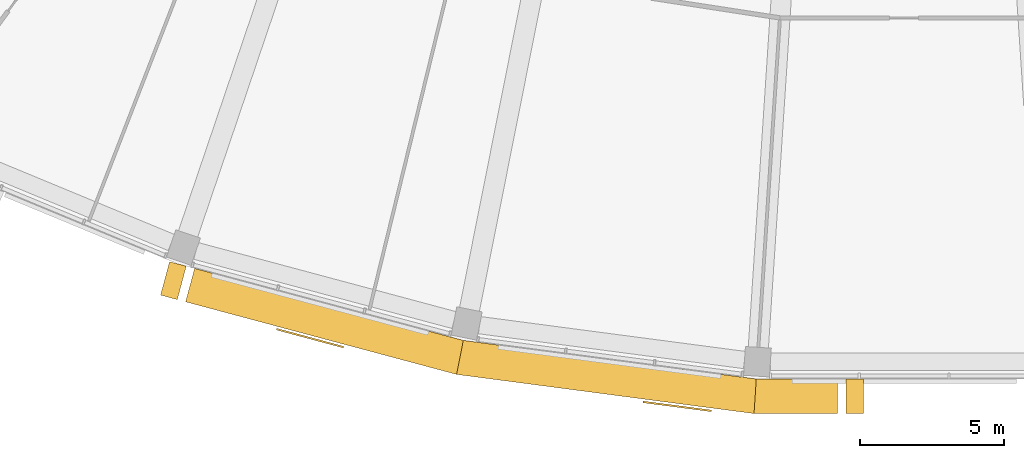
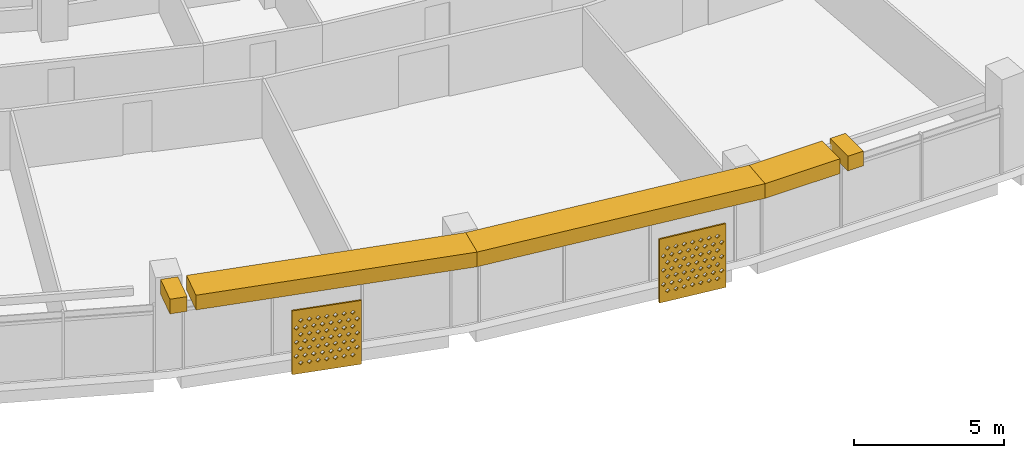
# One storey, part 25 of 28: 7 shading devices.
"""IFC4 building model written with IfcOpenShell, lengths in metres."""

from ifc_helpers import new_model, si_unit, direction, frame, origin, place, context, subcontext, project, spatial, polyline, outline, extrude, material, material_profile, profile_set, type_object, element, save


model = new_model("IFC4")

# Units and contexts
model_context = context("Model", 3, precision=1e-05, world=origin(), true_north=direction((0.0, 1.0)))
body_context = subcontext(model_context, "Body", "Model", "MODEL_VIEW")
ifc_project = project(units=[si_unit("LENGTHUNIT", "METRE"), si_unit("AREAUNIT", "SQUARE_METRE"), si_unit("VOLUMEUNIT", "CUBIC_METRE"), si_unit("PLANEANGLEUNIT", "RADIAN"), si_unit("MASSUNIT", "GRAM", prefix="KILO")], contexts=[model_context])

# Site, building, storey
site_placement = place(None, origin())
site = spatial("IfcSite", under=ifc_project, at=site_placement, CompositionType="ELEMENT")
building_placement = place(site_placement, origin())
building = spatial("IfcBuilding", under=site, at=building_placement, Name="Qamariyya Broadcast Tower", CompositionType="ELEMENT")
storey_placement = place(building_placement, frame((0.0, 0.0, 269.5)))
storey = spatial("IfcBuildingStorey", under=building, at=storey_placement, Name="L65", CompositionType="ELEMENT", Elevation=269.5)

# Shading devices
ifc_material_1 = material(Name="Steel S355 powder coated deep red", Category="steel")
shading_device_type_1 = type_object("IfcShadingDeviceType", Name="Deep red frame, powder coated steel box section", PredefinedType="USERDEFINED", material=ifc_material_1)
shading_device_1_placement = place(storey_placement, frame((0.0, 0.0, 3.199951171875)))
element("IfcShadingDevice", 1, at=shading_device_1_placement, inside=storey, type_object=shading_device_type_1, Name="e-frm-B5-F3-posta-L65", ObjectType="FRAME", PredefinedType="USERDEFINED", context=body_context, shape_type="SweptSolid", body=[
    extrude(outline(polyline([(-25.474609375, -74.1142578125), (-25.78515625, -75.2734375), (-25.20556640625, -75.4287109375), (-24.89501953125, -74.26953125), (-25.474609375, -74.1142578125)])), origin(), (0.0, 0.0, 1.0), 0.60009765625),
])
shading_device_2_placement = place(storey_placement, frame((0.0, 0.0, 3.199951171875)))
element("IfcShadingDevice", 2, at=shading_device_2_placement, inside=storey, type_object=shading_device_type_1, Name="e-frm-B5-F3-postb-L65", ObjectType="FRAME", PredefinedType="USERDEFINED", context=body_context, shape_type="SweptSolid", body=[
    extrude(outline(polyline([(-2.008056640625, -78.18212890625), (-2.008056640625, -79.38232421875), (-1.408203125, -79.38232421875), (-1.408203125, -78.18212890625), (-2.008056640625, -78.18212890625)])), origin(), (0.0, 0.0, 1.0), 0.60009765625),
])
shading_device_3_placement = place(storey_placement, frame((0.0, 0.0, 3.199951171875)))
element("IfcShadingDevice", 3, at=shading_device_3_placement, inside=storey, type_object=shading_device_type_1, Name="e-frm-B5-F3-bot0", ObjectType="FRAME", PredefinedType="USERDEFINED", context=body_context, shape_type="SweptSolid", body=[
    extrude(outline(polyline([(-24.605224609375, -74.34716796875), (-24.915771484375, -75.50634765625), (-15.52001953125, -78.02392578125), (-15.285400390625, -76.844482421875), (-24.605224609375, -74.34716796875)])), origin(), (0.0, 0.0, 1.0), 0.60009765625),
])
shading_device_4_placement = place(storey_placement, frame((0.0, 0.0, 3.199951171875)))
element("IfcShadingDevice", 4, at=shading_device_4_placement, inside=storey, type_object=shading_device_type_1, Name="e-frm-B5-F3-bot1", ObjectType="FRAME", PredefinedType="USERDEFINED", context=body_context, shape_type="SweptSolid", body=[
    extrude(outline(polyline([(-15.285400390625, -76.844482421875), (-15.52001953125, -78.02392578125), (-5.202880859375, -79.38232421875), (-5.124267578125, -78.18212890625), (-15.285400390625, -76.844482421875)])), origin(), (0.0, 0.0, 1.0), 0.60009765625),
])
shading_device_5_placement = place(storey_placement, frame((0.0, 0.0, 3.199951171875)))
element("IfcShadingDevice", 5, at=shading_device_5_placement, inside=storey, type_object=shading_device_type_1, Name="e-frm-B5-F3-bot2", ObjectType="FRAME", PredefinedType="USERDEFINED", context=body_context, shape_type="SweptSolid", body=[
    extrude(outline(polyline([(-5.124267578125, -78.18212890625), (-5.202880859375, -79.38232421875), (-2.30810546875, -79.38232421875), (-2.30810546875, -78.18212890625), (-5.124267578125, -78.18212890625)])), origin(), (0.0, 0.0, 1.0), 0.60009765625),
])
ifc_material_2 = material(Name="Perforated glazed terracotta", Category="masonry")
ifc_material_profile = material_profile(ifc_material_2, outline(polyline([(-1.199951171875, -1.300048828125), (1.199951171875, -1.300048828125), (1.199951171875, 1.300048828125), (-1.199951171875, 1.300048828125), (-1.199951171875, -1.300048828125)]), holes=[polyline([(-0.81494140625, -0.86669921875), (-0.89990234375, -0.78173828125), (-0.985107421875, -0.86669921875), (-0.89990234375, -0.95166015625), (-0.81494140625, -0.86669921875)]), polyline([(-0.514892578125, -0.86669921875), (-0.60009765625, -0.78173828125), (-0.68505859375, -0.86669921875), (-0.60009765625, -0.95166015625), (-0.514892578125, -0.86669921875)]), polyline([(-0.215087890625, -0.86669921875), (-0.300048828125, -0.78173828125), (-0.385009765625, -0.86669921875), (-0.300048828125, -0.95166015625), (-0.215087890625, -0.86669921875)]), polyline([(0.0849609375, -0.86669921875), (0.0, -0.78173828125), (-0.0849609375, -0.86669921875), (0.0, -0.95166015625), (0.0849609375, -0.86669921875)]), polyline([(0.385009765625, -0.86669921875), (0.300048828125, -0.78173828125), (0.215087890625, -0.86669921875), (0.300048828125, -0.95166015625), (0.385009765625, -0.86669921875)]), polyline([(0.68505859375, -0.86669921875), (0.60009765625, -0.78173828125), (0.514892578125, -0.86669921875), (0.60009765625, -0.95166015625), (0.68505859375, -0.86669921875)]), polyline([(0.985107421875, -0.86669921875), (0.89990234375, -0.78173828125), (0.81494140625, -0.86669921875), (0.89990234375, -0.95166015625), (0.985107421875, -0.86669921875)]), polyline([(-0.965087890625, -0.577880859375), (-1.050048828125, -0.49267578125), (-1.135009765625, -0.577880859375), (-1.050048828125, -0.662841796875), (-0.965087890625, -0.577880859375)]), polyline([(-0.6650390625, -0.577880859375), (-0.75, -0.49267578125), (-0.8349609375, -0.577880859375), (-0.75, -0.662841796875), (-0.6650390625, -0.577880859375)]), polyline([(-0.364990234375, -0.577880859375), (-0.449951171875, -0.49267578125), (-0.534912109375, -0.577880859375), (-0.449951171875, -0.662841796875), (-0.364990234375, -0.577880859375)]), polyline([(-0.06494140625, -0.577880859375), (-0.14990234375, -0.49267578125), (-0.235107421875, -0.577880859375), (-0.14990234375, -0.662841796875), (-0.06494140625, -0.577880859375)]), polyline([(0.235107421875, -0.577880859375), (0.14990234375, -0.49267578125), (0.06494140625, -0.577880859375), (0.14990234375, -0.662841796875), (0.235107421875, -0.577880859375)]), polyline([(0.534912109375, -0.577880859375), (0.449951171875, -0.49267578125), (0.364990234375, -0.577880859375), (0.449951171875, -0.662841796875), (0.534912109375, -0.577880859375)]), polyline([(0.8349609375, -0.577880859375), (0.75, -0.49267578125), (0.6650390625, -0.577880859375), (0.75, -0.662841796875), (0.8349609375, -0.577880859375)]), polyline([(1.135009765625, -0.577880859375), (1.050048828125, -0.49267578125), (0.965087890625, -0.577880859375), (1.050048828125, -0.662841796875), (1.135009765625, -0.577880859375)]), polyline([(-0.81494140625, -0.288818359375), (-0.89990234375, -0.203857421875), (-0.985107421875, -0.288818359375), (-0.89990234375, -0.373779296875), (-0.81494140625, -0.288818359375)]), polyline([(-0.514892578125, -0.288818359375), (-0.60009765625, -0.203857421875), (-0.68505859375, -0.288818359375), (-0.60009765625, -0.373779296875), (-0.514892578125, -0.288818359375)]), polyline([(-0.215087890625, -0.288818359375), (-0.300048828125, -0.203857421875), (-0.385009765625, -0.288818359375), (-0.300048828125, -0.373779296875), (-0.215087890625, -0.288818359375)]), polyline([(0.0849609375, -0.288818359375), (0.0, -0.203857421875), (-0.0849609375, -0.288818359375), (0.0, -0.373779296875), (0.0849609375, -0.288818359375)]), polyline([(0.385009765625, -0.288818359375), (0.300048828125, -0.203857421875), (0.215087890625, -0.288818359375), (0.300048828125, -0.373779296875), (0.385009765625, -0.288818359375)]), polyline([(0.68505859375, -0.288818359375), (0.60009765625, -0.203857421875), (0.514892578125, -0.288818359375), (0.60009765625, -0.373779296875), (0.68505859375, -0.288818359375)]), polyline([(0.985107421875, -0.288818359375), (0.89990234375, -0.203857421875), (0.81494140625, -0.288818359375), (0.89990234375, -0.373779296875), (0.985107421875, -0.288818359375)]), polyline([(-0.965087890625, 0.0), (-1.050048828125, 0.0849609375), (-1.135009765625, 0.0), (-1.050048828125, -0.0849609375), (-0.965087890625, 0.0)]), polyline([(-0.6650390625, 0.0), (-0.75, 0.0849609375), (-0.8349609375, 0.0), (-0.75, -0.0849609375), (-0.6650390625, 0.0)]), polyline([(-0.364990234375, 0.0), (-0.449951171875, 0.0849609375), (-0.534912109375, 0.0), (-0.449951171875, -0.0849609375), (-0.364990234375, 0.0)]), polyline([(-0.06494140625, 0.0), (-0.14990234375, 0.0849609375), (-0.235107421875, 0.0), (-0.14990234375, -0.0849609375), (-0.06494140625, 0.0)]), polyline([(0.235107421875, 0.0), (0.14990234375, 0.0849609375), (0.06494140625, 0.0), (0.14990234375, -0.0849609375), (0.235107421875, 0.0)]), polyline([(0.534912109375, 0.0), (0.449951171875, 0.0849609375), (0.364990234375, 0.0), (0.449951171875, -0.0849609375), (0.534912109375, 0.0)]), polyline([(0.8349609375, 0.0), (0.75, 0.0849609375), (0.6650390625, 0.0), (0.75, -0.0849609375), (0.8349609375, 0.0)]), polyline([(1.135009765625, 0.0), (1.050048828125, 0.0849609375), (0.965087890625, 0.0), (1.050048828125, -0.0849609375), (1.135009765625, 0.0)]), polyline([(-0.81494140625, 0.288818359375), (-0.89990234375, 0.373779296875), (-0.985107421875, 0.288818359375), (-0.89990234375, 0.203857421875), (-0.81494140625, 0.288818359375)]), polyline([(-0.514892578125, 0.288818359375), (-0.60009765625, 0.373779296875), (-0.68505859375, 0.288818359375), (-0.60009765625, 0.203857421875), (-0.514892578125, 0.288818359375)]), polyline([(-0.215087890625, 0.288818359375), (-0.300048828125, 0.373779296875), (-0.385009765625, 0.288818359375), (-0.300048828125, 0.203857421875), (-0.215087890625, 0.288818359375)]), polyline([(0.0849609375, 0.288818359375), (0.0, 0.373779296875), (-0.0849609375, 0.288818359375), (0.0, 0.203857421875), (0.0849609375, 0.288818359375)]), polyline([(0.385009765625, 0.288818359375), (0.300048828125, 0.373779296875), (0.215087890625, 0.288818359375), (0.300048828125, 0.203857421875), (0.385009765625, 0.288818359375)]), polyline([(0.68505859375, 0.288818359375), (0.60009765625, 0.373779296875), (0.514892578125, 0.288818359375), (0.60009765625, 0.203857421875), (0.68505859375, 0.288818359375)]), polyline([(0.985107421875, 0.288818359375), (0.89990234375, 0.373779296875), (0.81494140625, 0.288818359375), (0.89990234375, 0.203857421875), (0.985107421875, 0.288818359375)]), polyline([(-0.965087890625, 0.577880859375), (-1.050048828125, 0.662841796875), (-1.135009765625, 0.577880859375), (-1.050048828125, 0.49267578125), (-0.965087890625, 0.577880859375)]), polyline([(-0.6650390625, 0.577880859375), (-0.75, 0.662841796875), (-0.8349609375, 0.577880859375), (-0.75, 0.49267578125), (-0.6650390625, 0.577880859375)]), polyline([(-0.364990234375, 0.577880859375), (-0.449951171875, 0.662841796875), (-0.534912109375, 0.577880859375), (-0.449951171875, 0.49267578125), (-0.364990234375, 0.577880859375)]), polyline([(-0.06494140625, 0.577880859375), (-0.14990234375, 0.662841796875), (-0.235107421875, 0.577880859375), (-0.14990234375, 0.49267578125), (-0.06494140625, 0.577880859375)]), polyline([(0.235107421875, 0.577880859375), (0.14990234375, 0.662841796875), (0.06494140625, 0.577880859375), (0.14990234375, 0.49267578125), (0.235107421875, 0.577880859375)]), polyline([(0.534912109375, 0.577880859375), (0.449951171875, 0.662841796875), (0.364990234375, 0.577880859375), (0.449951171875, 0.49267578125), (0.534912109375, 0.577880859375)]), polyline([(0.8349609375, 0.577880859375), (0.75, 0.662841796875), (0.6650390625, 0.577880859375), (0.75, 0.49267578125), (0.8349609375, 0.577880859375)]), polyline([(1.135009765625, 0.577880859375), (1.050048828125, 0.662841796875), (0.965087890625, 0.577880859375), (1.050048828125, 0.49267578125), (1.135009765625, 0.577880859375)]), polyline([(-0.81494140625, 0.86669921875), (-0.89990234375, 0.95166015625), (-0.985107421875, 0.86669921875), (-0.89990234375, 0.78173828125), (-0.81494140625, 0.86669921875)]), polyline([(-0.514892578125, 0.86669921875), (-0.60009765625, 0.95166015625), (-0.68505859375, 0.86669921875), (-0.60009765625, 0.78173828125), (-0.514892578125, 0.86669921875)]), polyline([(-0.215087890625, 0.86669921875), (-0.300048828125, 0.95166015625), (-0.385009765625, 0.86669921875), (-0.300048828125, 0.78173828125), (-0.215087890625, 0.86669921875)]), polyline([(0.0849609375, 0.86669921875), (0.0, 0.95166015625), (-0.0849609375, 0.86669921875), (0.0, 0.78173828125), (0.0849609375, 0.86669921875)]), polyline([(0.385009765625, 0.86669921875), (0.300048828125, 0.95166015625), (0.215087890625, 0.86669921875), (0.300048828125, 0.78173828125), (0.385009765625, 0.86669921875)]), polyline([(0.68505859375, 0.86669921875), (0.60009765625, 0.95166015625), (0.514892578125, 0.86669921875), (0.60009765625, 0.78173828125), (0.68505859375, 0.86669921875)]), polyline([(0.985107421875, 0.86669921875), (0.89990234375, 0.95166015625), (0.81494140625, 0.86669921875), (0.89990234375, 0.78173828125), (0.985107421875, 0.86669921875)])]))
ifc_profile_set = profile_set([ifc_material_profile], Name="Perforated glazed terracotta")
shading_device_type_2 = type_object("IfcShadingDeviceType", Name="Perforated terracotta screen 2400 x 2600", PredefinedType="USERDEFINED", material=ifc_profile_set)
shading_device_6_placement = place(storey_placement, frame((-20.59375, -76.73681640625, 1.35009765625), z_axis=(-0.259682438219, -0.965694067125, 0.0), x_axis=(0.965694067125, -0.259682438219, 0.0)))
element("IfcShadingDevice", 6, at=shading_device_6_placement, inside=storey, type_object=shading_device_type_2, Name="e-scr-L65-05-1", ObjectType="SCREEN", PredefinedType="USERDEFINED", context=body_context, shape_type="SweptSolid", body=[
    extrude(outline(polyline([(-1.199951171875, -1.300048828125), (1.199951171875, -1.300048828125), (1.199951171875, 1.300048828125), (-1.199951171875, 1.300048828125), (-1.199951171875, -1.300048828125)]), holes=[polyline([(-0.81494140625, -0.86669921875), (-0.89990234375, -0.78173828125), (-0.985107421875, -0.86669921875), (-0.89990234375, -0.95166015625), (-0.81494140625, -0.86669921875)]), polyline([(-0.514892578125, -0.86669921875), (-0.60009765625, -0.78173828125), (-0.68505859375, -0.86669921875), (-0.60009765625, -0.95166015625), (-0.514892578125, -0.86669921875)]), polyline([(-0.215087890625, -0.86669921875), (-0.300048828125, -0.78173828125), (-0.385009765625, -0.86669921875), (-0.300048828125, -0.95166015625), (-0.215087890625, -0.86669921875)]), polyline([(0.0849609375, -0.86669921875), (0.0, -0.78173828125), (-0.0849609375, -0.86669921875), (0.0, -0.95166015625), (0.0849609375, -0.86669921875)]), polyline([(0.385009765625, -0.86669921875), (0.300048828125, -0.78173828125), (0.215087890625, -0.86669921875), (0.300048828125, -0.95166015625), (0.385009765625, -0.86669921875)]), polyline([(0.68505859375, -0.86669921875), (0.60009765625, -0.78173828125), (0.514892578125, -0.86669921875), (0.60009765625, -0.95166015625), (0.68505859375, -0.86669921875)]), polyline([(0.985107421875, -0.86669921875), (0.89990234375, -0.78173828125), (0.81494140625, -0.86669921875), (0.89990234375, -0.95166015625), (0.985107421875, -0.86669921875)]), polyline([(-0.965087890625, -0.577880859375), (-1.050048828125, -0.49267578125), (-1.135009765625, -0.577880859375), (-1.050048828125, -0.662841796875), (-0.965087890625, -0.577880859375)]), polyline([(-0.6650390625, -0.577880859375), (-0.75, -0.49267578125), (-0.8349609375, -0.577880859375), (-0.75, -0.662841796875), (-0.6650390625, -0.577880859375)]), polyline([(-0.364990234375, -0.577880859375), (-0.449951171875, -0.49267578125), (-0.534912109375, -0.577880859375), (-0.449951171875, -0.662841796875), (-0.364990234375, -0.577880859375)]), polyline([(-0.06494140625, -0.577880859375), (-0.14990234375, -0.49267578125), (-0.235107421875, -0.577880859375), (-0.14990234375, -0.662841796875), (-0.06494140625, -0.577880859375)]), polyline([(0.235107421875, -0.577880859375), (0.14990234375, -0.49267578125), (0.06494140625, -0.577880859375), (0.14990234375, -0.662841796875), (0.235107421875, -0.577880859375)]), polyline([(0.534912109375, -0.577880859375), (0.449951171875, -0.49267578125), (0.364990234375, -0.577880859375), (0.449951171875, -0.662841796875), (0.534912109375, -0.577880859375)]), polyline([(0.8349609375, -0.577880859375), (0.75, -0.49267578125), (0.6650390625, -0.577880859375), (0.75, -0.662841796875), (0.8349609375, -0.577880859375)]), polyline([(1.135009765625, -0.577880859375), (1.050048828125, -0.49267578125), (0.965087890625, -0.577880859375), (1.050048828125, -0.662841796875), (1.135009765625, -0.577880859375)]), polyline([(-0.81494140625, -0.288818359375), (-0.89990234375, -0.203857421875), (-0.985107421875, -0.288818359375), (-0.89990234375, -0.373779296875), (-0.81494140625, -0.288818359375)]), polyline([(-0.514892578125, -0.288818359375), (-0.60009765625, -0.203857421875), (-0.68505859375, -0.288818359375), (-0.60009765625, -0.373779296875), (-0.514892578125, -0.288818359375)]), polyline([(-0.215087890625, -0.288818359375), (-0.300048828125, -0.203857421875), (-0.385009765625, -0.288818359375), (-0.300048828125, -0.373779296875), (-0.215087890625, -0.288818359375)]), polyline([(0.0849609375, -0.288818359375), (0.0, -0.203857421875), (-0.0849609375, -0.288818359375), (0.0, -0.373779296875), (0.0849609375, -0.288818359375)]), polyline([(0.385009765625, -0.288818359375), (0.300048828125, -0.203857421875), (0.215087890625, -0.288818359375), (0.300048828125, -0.373779296875), (0.385009765625, -0.288818359375)]), polyline([(0.68505859375, -0.288818359375), (0.60009765625, -0.203857421875), (0.514892578125, -0.288818359375), (0.60009765625, -0.373779296875), (0.68505859375, -0.288818359375)]), polyline([(0.985107421875, -0.288818359375), (0.89990234375, -0.203857421875), (0.81494140625, -0.288818359375), (0.89990234375, -0.373779296875), (0.985107421875, -0.288818359375)]), polyline([(-0.965087890625, 0.0), (-1.050048828125, 0.0849609375), (-1.135009765625, 0.0), (-1.050048828125, -0.0849609375), (-0.965087890625, 0.0)]), polyline([(-0.6650390625, 0.0), (-0.75, 0.0849609375), (-0.8349609375, 0.0), (-0.75, -0.0849609375), (-0.6650390625, 0.0)]), polyline([(-0.364990234375, 0.0), (-0.449951171875, 0.0849609375), (-0.534912109375, 0.0), (-0.449951171875, -0.0849609375), (-0.364990234375, 0.0)]), polyline([(-0.06494140625, 0.0), (-0.14990234375, 0.0849609375), (-0.235107421875, 0.0), (-0.14990234375, -0.0849609375), (-0.06494140625, 0.0)]), polyline([(0.235107421875, 0.0), (0.14990234375, 0.0849609375), (0.06494140625, 0.0), (0.14990234375, -0.0849609375), (0.235107421875, 0.0)]), polyline([(0.534912109375, 0.0), (0.449951171875, 0.0849609375), (0.364990234375, 0.0), (0.449951171875, -0.0849609375), (0.534912109375, 0.0)]), polyline([(0.8349609375, 0.0), (0.75, 0.0849609375), (0.6650390625, 0.0), (0.75, -0.0849609375), (0.8349609375, 0.0)]), polyline([(1.135009765625, 0.0), (1.050048828125, 0.0849609375), (0.965087890625, 0.0), (1.050048828125, -0.0849609375), (1.135009765625, 0.0)]), polyline([(-0.81494140625, 0.288818359375), (-0.89990234375, 0.373779296875), (-0.985107421875, 0.288818359375), (-0.89990234375, 0.203857421875), (-0.81494140625, 0.288818359375)]), polyline([(-0.514892578125, 0.288818359375), (-0.60009765625, 0.373779296875), (-0.68505859375, 0.288818359375), (-0.60009765625, 0.203857421875), (-0.514892578125, 0.288818359375)]), polyline([(-0.215087890625, 0.288818359375), (-0.300048828125, 0.373779296875), (-0.385009765625, 0.288818359375), (-0.300048828125, 0.203857421875), (-0.215087890625, 0.288818359375)]), polyline([(0.0849609375, 0.288818359375), (0.0, 0.373779296875), (-0.0849609375, 0.288818359375), (0.0, 0.203857421875), (0.0849609375, 0.288818359375)]), polyline([(0.385009765625, 0.288818359375), (0.300048828125, 0.373779296875), (0.215087890625, 0.288818359375), (0.300048828125, 0.203857421875), (0.385009765625, 0.288818359375)]), polyline([(0.68505859375, 0.288818359375), (0.60009765625, 0.373779296875), (0.514892578125, 0.288818359375), (0.60009765625, 0.203857421875), (0.68505859375, 0.288818359375)]), polyline([(0.985107421875, 0.288818359375), (0.89990234375, 0.373779296875), (0.81494140625, 0.288818359375), (0.89990234375, 0.203857421875), (0.985107421875, 0.288818359375)]), polyline([(-0.965087890625, 0.577880859375), (-1.050048828125, 0.662841796875), (-1.135009765625, 0.577880859375), (-1.050048828125, 0.49267578125), (-0.965087890625, 0.577880859375)]), polyline([(-0.6650390625, 0.577880859375), (-0.75, 0.662841796875), (-0.8349609375, 0.577880859375), (-0.75, 0.49267578125), (-0.6650390625, 0.577880859375)]), polyline([(-0.364990234375, 0.577880859375), (-0.449951171875, 0.662841796875), (-0.534912109375, 0.577880859375), (-0.449951171875, 0.49267578125), (-0.364990234375, 0.577880859375)]), polyline([(-0.06494140625, 0.577880859375), (-0.14990234375, 0.662841796875), (-0.235107421875, 0.577880859375), (-0.14990234375, 0.49267578125), (-0.06494140625, 0.577880859375)]), polyline([(0.235107421875, 0.577880859375), (0.14990234375, 0.662841796875), (0.06494140625, 0.577880859375), (0.14990234375, 0.49267578125), (0.235107421875, 0.577880859375)]), polyline([(0.534912109375, 0.577880859375), (0.449951171875, 0.662841796875), (0.364990234375, 0.577880859375), (0.449951171875, 0.49267578125), (0.534912109375, 0.577880859375)]), polyline([(0.8349609375, 0.577880859375), (0.75, 0.662841796875), (0.6650390625, 0.577880859375), (0.75, 0.49267578125), (0.8349609375, 0.577880859375)]), polyline([(1.135009765625, 0.577880859375), (1.050048828125, 0.662841796875), (0.965087890625, 0.577880859375), (1.050048828125, 0.49267578125), (1.135009765625, 0.577880859375)]), polyline([(-0.81494140625, 0.86669921875), (-0.89990234375, 0.95166015625), (-0.985107421875, 0.86669921875), (-0.89990234375, 0.78173828125), (-0.81494140625, 0.86669921875)]), polyline([(-0.514892578125, 0.86669921875), (-0.60009765625, 0.95166015625), (-0.68505859375, 0.86669921875), (-0.60009765625, 0.78173828125), (-0.514892578125, 0.86669921875)]), polyline([(-0.215087890625, 0.86669921875), (-0.300048828125, 0.95166015625), (-0.385009765625, 0.86669921875), (-0.300048828125, 0.78173828125), (-0.215087890625, 0.86669921875)]), polyline([(0.0849609375, 0.86669921875), (0.0, 0.95166015625), (-0.0849609375, 0.86669921875), (0.0, 0.78173828125), (0.0849609375, 0.86669921875)]), polyline([(0.385009765625, 0.86669921875), (0.300048828125, 0.95166015625), (0.215087890625, 0.86669921875), (0.300048828125, 0.78173828125), (0.385009765625, 0.86669921875)]), polyline([(0.68505859375, 0.86669921875), (0.60009765625, 0.95166015625), (0.514892578125, 0.86669921875), (0.60009765625, 0.78173828125), (0.68505859375, 0.86669921875)]), polyline([(0.985107421875, 0.86669921875), (0.89990234375, 0.95166015625), (0.81494140625, 0.86669921875), (0.89990234375, 0.78173828125), (0.985107421875, 0.86669921875)])]), origin(), (0.0, 0.0, 1.0), 0.06005859375),
])
shading_device_7_placement = place(storey_placement, frame((-7.861083984375, -79.102783203125, 1.35009765625), z_axis=(-0.1300340368, -0.991509530601, 0.0), x_axis=(0.991509530601, -0.1300340368, 0.0)))
element("IfcShadingDevice", 7, at=shading_device_7_placement, inside=storey, type_object=shading_device_type_2, Name="e-scr-L65-06-2", ObjectType="SCREEN", PredefinedType="USERDEFINED", context=body_context, shape_type="SweptSolid", body=[
    extrude(outline(polyline([(-1.199951171875, -1.300048828125), (1.199951171875, -1.300048828125), (1.199951171875, 1.300048828125), (-1.199951171875, 1.300048828125), (-1.199951171875, -1.300048828125)]), holes=[polyline([(-0.81494140625, -0.86669921875), (-0.89990234375, -0.78173828125), (-0.985107421875, -0.86669921875), (-0.89990234375, -0.95166015625), (-0.81494140625, -0.86669921875)]), polyline([(-0.514892578125, -0.86669921875), (-0.60009765625, -0.78173828125), (-0.68505859375, -0.86669921875), (-0.60009765625, -0.95166015625), (-0.514892578125, -0.86669921875)]), polyline([(-0.215087890625, -0.86669921875), (-0.300048828125, -0.78173828125), (-0.385009765625, -0.86669921875), (-0.300048828125, -0.95166015625), (-0.215087890625, -0.86669921875)]), polyline([(0.0849609375, -0.86669921875), (0.0, -0.78173828125), (-0.0849609375, -0.86669921875), (0.0, -0.95166015625), (0.0849609375, -0.86669921875)]), polyline([(0.385009765625, -0.86669921875), (0.300048828125, -0.78173828125), (0.215087890625, -0.86669921875), (0.300048828125, -0.95166015625), (0.385009765625, -0.86669921875)]), polyline([(0.68505859375, -0.86669921875), (0.60009765625, -0.78173828125), (0.514892578125, -0.86669921875), (0.60009765625, -0.95166015625), (0.68505859375, -0.86669921875)]), polyline([(0.985107421875, -0.86669921875), (0.89990234375, -0.78173828125), (0.81494140625, -0.86669921875), (0.89990234375, -0.95166015625), (0.985107421875, -0.86669921875)]), polyline([(-0.965087890625, -0.577880859375), (-1.050048828125, -0.49267578125), (-1.135009765625, -0.577880859375), (-1.050048828125, -0.662841796875), (-0.965087890625, -0.577880859375)]), polyline([(-0.6650390625, -0.577880859375), (-0.75, -0.49267578125), (-0.8349609375, -0.577880859375), (-0.75, -0.662841796875), (-0.6650390625, -0.577880859375)]), polyline([(-0.364990234375, -0.577880859375), (-0.449951171875, -0.49267578125), (-0.534912109375, -0.577880859375), (-0.449951171875, -0.662841796875), (-0.364990234375, -0.577880859375)]), polyline([(-0.06494140625, -0.577880859375), (-0.14990234375, -0.49267578125), (-0.235107421875, -0.577880859375), (-0.14990234375, -0.662841796875), (-0.06494140625, -0.577880859375)]), polyline([(0.235107421875, -0.577880859375), (0.14990234375, -0.49267578125), (0.06494140625, -0.577880859375), (0.14990234375, -0.662841796875), (0.235107421875, -0.577880859375)]), polyline([(0.534912109375, -0.577880859375), (0.449951171875, -0.49267578125), (0.364990234375, -0.577880859375), (0.449951171875, -0.662841796875), (0.534912109375, -0.577880859375)]), polyline([(0.8349609375, -0.577880859375), (0.75, -0.49267578125), (0.6650390625, -0.577880859375), (0.75, -0.662841796875), (0.8349609375, -0.577880859375)]), polyline([(1.135009765625, -0.577880859375), (1.050048828125, -0.49267578125), (0.965087890625, -0.577880859375), (1.050048828125, -0.662841796875), (1.135009765625, -0.577880859375)]), polyline([(-0.81494140625, -0.288818359375), (-0.89990234375, -0.203857421875), (-0.985107421875, -0.288818359375), (-0.89990234375, -0.373779296875), (-0.81494140625, -0.288818359375)]), polyline([(-0.514892578125, -0.288818359375), (-0.60009765625, -0.203857421875), (-0.68505859375, -0.288818359375), (-0.60009765625, -0.373779296875), (-0.514892578125, -0.288818359375)]), polyline([(-0.215087890625, -0.288818359375), (-0.300048828125, -0.203857421875), (-0.385009765625, -0.288818359375), (-0.300048828125, -0.373779296875), (-0.215087890625, -0.288818359375)]), polyline([(0.0849609375, -0.288818359375), (0.0, -0.203857421875), (-0.0849609375, -0.288818359375), (0.0, -0.373779296875), (0.0849609375, -0.288818359375)]), polyline([(0.385009765625, -0.288818359375), (0.300048828125, -0.203857421875), (0.215087890625, -0.288818359375), (0.300048828125, -0.373779296875), (0.385009765625, -0.288818359375)]), polyline([(0.68505859375, -0.288818359375), (0.60009765625, -0.203857421875), (0.514892578125, -0.288818359375), (0.60009765625, -0.373779296875), (0.68505859375, -0.288818359375)]), polyline([(0.985107421875, -0.288818359375), (0.89990234375, -0.203857421875), (0.81494140625, -0.288818359375), (0.89990234375, -0.373779296875), (0.985107421875, -0.288818359375)]), polyline([(-0.965087890625, 0.0), (-1.050048828125, 0.0849609375), (-1.135009765625, 0.0), (-1.050048828125, -0.0849609375), (-0.965087890625, 0.0)]), polyline([(-0.6650390625, 0.0), (-0.75, 0.0849609375), (-0.8349609375, 0.0), (-0.75, -0.0849609375), (-0.6650390625, 0.0)]), polyline([(-0.364990234375, 0.0), (-0.449951171875, 0.0849609375), (-0.534912109375, 0.0), (-0.449951171875, -0.0849609375), (-0.364990234375, 0.0)]), polyline([(-0.06494140625, 0.0), (-0.14990234375, 0.0849609375), (-0.235107421875, 0.0), (-0.14990234375, -0.0849609375), (-0.06494140625, 0.0)]), polyline([(0.235107421875, 0.0), (0.14990234375, 0.0849609375), (0.06494140625, 0.0), (0.14990234375, -0.0849609375), (0.235107421875, 0.0)]), polyline([(0.534912109375, 0.0), (0.449951171875, 0.0849609375), (0.364990234375, 0.0), (0.449951171875, -0.0849609375), (0.534912109375, 0.0)]), polyline([(0.8349609375, 0.0), (0.75, 0.0849609375), (0.6650390625, 0.0), (0.75, -0.0849609375), (0.8349609375, 0.0)]), polyline([(1.135009765625, 0.0), (1.050048828125, 0.0849609375), (0.965087890625, 0.0), (1.050048828125, -0.0849609375), (1.135009765625, 0.0)]), polyline([(-0.81494140625, 0.288818359375), (-0.89990234375, 0.373779296875), (-0.985107421875, 0.288818359375), (-0.89990234375, 0.203857421875), (-0.81494140625, 0.288818359375)]), polyline([(-0.514892578125, 0.288818359375), (-0.60009765625, 0.373779296875), (-0.68505859375, 0.288818359375), (-0.60009765625, 0.203857421875), (-0.514892578125, 0.288818359375)]), polyline([(-0.215087890625, 0.288818359375), (-0.300048828125, 0.373779296875), (-0.385009765625, 0.288818359375), (-0.300048828125, 0.203857421875), (-0.215087890625, 0.288818359375)]), polyline([(0.0849609375, 0.288818359375), (0.0, 0.373779296875), (-0.0849609375, 0.288818359375), (0.0, 0.203857421875), (0.0849609375, 0.288818359375)]), polyline([(0.385009765625, 0.288818359375), (0.300048828125, 0.373779296875), (0.215087890625, 0.288818359375), (0.300048828125, 0.203857421875), (0.385009765625, 0.288818359375)]), polyline([(0.68505859375, 0.288818359375), (0.60009765625, 0.373779296875), (0.514892578125, 0.288818359375), (0.60009765625, 0.203857421875), (0.68505859375, 0.288818359375)]), polyline([(0.985107421875, 0.288818359375), (0.89990234375, 0.373779296875), (0.81494140625, 0.288818359375), (0.89990234375, 0.203857421875), (0.985107421875, 0.288818359375)]), polyline([(-0.965087890625, 0.577880859375), (-1.050048828125, 0.662841796875), (-1.135009765625, 0.577880859375), (-1.050048828125, 0.49267578125), (-0.965087890625, 0.577880859375)]), polyline([(-0.6650390625, 0.577880859375), (-0.75, 0.662841796875), (-0.8349609375, 0.577880859375), (-0.75, 0.49267578125), (-0.6650390625, 0.577880859375)]), polyline([(-0.364990234375, 0.577880859375), (-0.449951171875, 0.662841796875), (-0.534912109375, 0.577880859375), (-0.449951171875, 0.49267578125), (-0.364990234375, 0.577880859375)]), polyline([(-0.06494140625, 0.577880859375), (-0.14990234375, 0.662841796875), (-0.235107421875, 0.577880859375), (-0.14990234375, 0.49267578125), (-0.06494140625, 0.577880859375)]), polyline([(0.235107421875, 0.577880859375), (0.14990234375, 0.662841796875), (0.06494140625, 0.577880859375), (0.14990234375, 0.49267578125), (0.235107421875, 0.577880859375)]), polyline([(0.534912109375, 0.577880859375), (0.449951171875, 0.662841796875), (0.364990234375, 0.577880859375), (0.449951171875, 0.49267578125), (0.534912109375, 0.577880859375)]), polyline([(0.8349609375, 0.577880859375), (0.75, 0.662841796875), (0.6650390625, 0.577880859375), (0.75, 0.49267578125), (0.8349609375, 0.577880859375)]), polyline([(1.135009765625, 0.577880859375), (1.050048828125, 0.662841796875), (0.965087890625, 0.577880859375), (1.050048828125, 0.49267578125), (1.135009765625, 0.577880859375)]), polyline([(-0.81494140625, 0.86669921875), (-0.89990234375, 0.95166015625), (-0.985107421875, 0.86669921875), (-0.89990234375, 0.78173828125), (-0.81494140625, 0.86669921875)]), polyline([(-0.514892578125, 0.86669921875), (-0.60009765625, 0.95166015625), (-0.68505859375, 0.86669921875), (-0.60009765625, 0.78173828125), (-0.514892578125, 0.86669921875)]), polyline([(-0.215087890625, 0.86669921875), (-0.300048828125, 0.95166015625), (-0.385009765625, 0.86669921875), (-0.300048828125, 0.78173828125), (-0.215087890625, 0.86669921875)]), polyline([(0.0849609375, 0.86669921875), (0.0, 0.95166015625), (-0.0849609375, 0.86669921875), (0.0, 0.78173828125), (0.0849609375, 0.86669921875)]), polyline([(0.385009765625, 0.86669921875), (0.300048828125, 0.95166015625), (0.215087890625, 0.86669921875), (0.300048828125, 0.78173828125), (0.385009765625, 0.86669921875)]), polyline([(0.68505859375, 0.86669921875), (0.60009765625, 0.95166015625), (0.514892578125, 0.86669921875), (0.60009765625, 0.78173828125), (0.68505859375, 0.86669921875)]), polyline([(0.985107421875, 0.86669921875), (0.89990234375, 0.95166015625), (0.81494140625, 0.86669921875), (0.89990234375, 0.78173828125), (0.985107421875, 0.86669921875)])]), origin(), (0.0, 0.0, 1.0), 0.06005859375),
])

save(model, "model.ifc")
